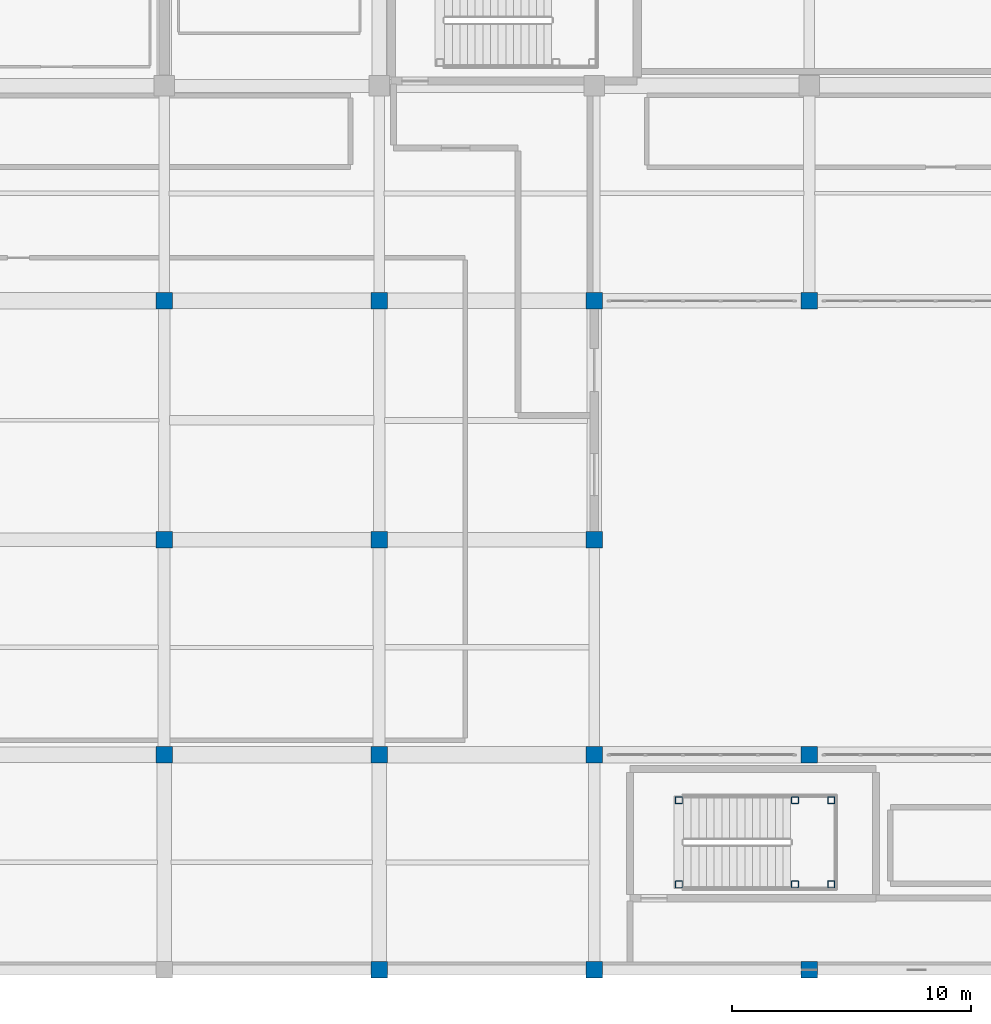
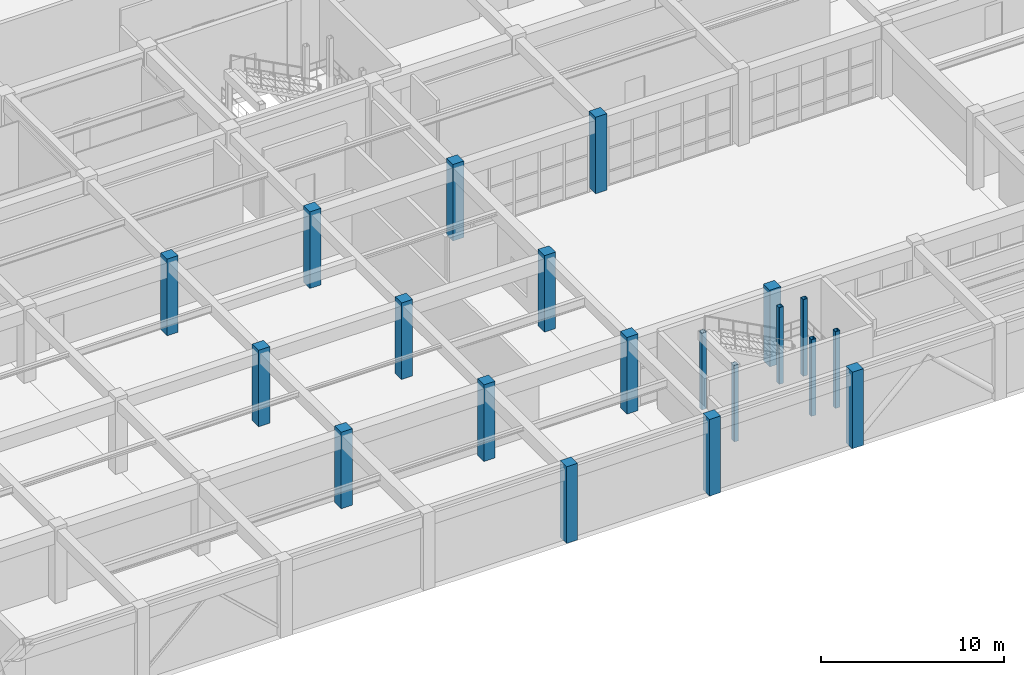
# One storey, part 5 of 128: 20 columns.
"""IFC4 building model written with IfcOpenShell, lengths in metres."""

from ifc_helpers import new_model, si_unit, direction, frame, origin, origin_2d, place, context, subcontext, project, spatial, rectangle, hollow_rectangle, extrude, material, material_profile, profile_set, type_object, element, save


model = new_model("IFC4")

# Units and contexts
model_context = context("Model", 3, precision=1e-05, world=origin(), true_north=direction((0.0, 1.0)))
body_context = subcontext(model_context, "Body", "Model", "MODEL_VIEW")
ifc_project = project(units=[si_unit("LENGTHUNIT", "METRE"), si_unit("AREAUNIT", "SQUARE_METRE"), si_unit("VOLUMEUNIT", "CUBIC_METRE"), si_unit("PLANEANGLEUNIT", "RADIAN"), si_unit("MASSUNIT", "GRAM", prefix="KILO")], contexts=[model_context])

# Site, building, storey
site_placement = place(None, origin())
site = spatial("IfcSite", under=ifc_project, at=site_placement, CompositionType="ELEMENT")
building_placement = place(site_placement, origin())
building = spatial("IfcBuilding", under=site, at=building_placement, Name="Miravela Opera House", CompositionType="ELEMENT")
storey_placement = place(building_placement, origin())
storey = spatial("IfcBuildingStorey", under=building, at=storey_placement, Name="L00", CompositionType="ELEMENT", Elevation=0.0)

# Columns
ifc_material_1 = material(Name="Hollow structural steel ASTM A500 Gr. C", Category="steel")
ifc_material_profile_1 = material_profile(ifc_material_1, hollow_rectangle(XDim=0.300048828125, YDim=0.300048828125, WallThickness=0.01611328125, InnerFilletRadius=0.01611328125, OuterFilletRadius=0.031982421875, at=origin_2d()), Name="HSS300X300X16")
ifc_profile_set_1 = profile_set([ifc_material_profile_1])
column_type_1 = type_object("IfcColumnType", Name="STR-COL-HSS300", PredefinedType="COLUMN", material=ifc_profile_set_1)
for number, where, z_axis, x_axis, name in (
    (1, (120.5400390625, 3.580078125, 0.0), (0.0, 0.0, 1.0), (1.0, 0.0, 0.0), "Stair ST-10 Landing Support Column 1 (L00)"),
    (2, (120.5400390625, 7.10009765625, 0.0), (0.0, 0.0, 1.0), (1.0, 0.0, 0.0), "Stair ST-10 Landing Support Column 2 (L00)"),
    (3, (125.39990234375, 3.580078125, 0.0), (0.0, 0.0, 1.0), (1.0, 0.0, 0.0), "Stair ST-10 Landing Support Column 3 (L00)"),
    (4, (125.39990234375, 7.10009765625, 0.0), (0.0, 0.0, 1.0), (1.0, 0.0, 0.0), "Stair ST-10 Landing Support Column 4 (L00)"),
    (5, (126.919921875, 3.580078125, 0.0), (0.0, 0.0, 1.0), (1.0, 0.0, 0.0), "Stair ST-10 Landing Support Column 5 (L00)"),
    (6, (126.919921875, 7.10009765625, 0.0), (0.0, 0.0, 1.0), (1.0, 0.0, 0.0), "Stair ST-10 Landing Support Column 6 (L00)"),
):
    element("IfcColumn", number, at=place(storey_placement, frame(where, z_axis=z_axis, x_axis=x_axis)), inside=storey, type_object=column_type_1, Name=name, PredefinedType="COLUMN", context=body_context, shape_type="SweptSolid", body=[
        extrude(hollow_rectangle(XDim=0.300048828125, YDim=0.300048828125, WallThickness=0.01611328125, InnerFilletRadius=0.01611328125, OuterFilletRadius=0.031982421875, at=origin_2d()), origin(), (0.0, 0.0, 1.0), 5.10009765625),
    ])
ifc_material_2 = material(Name="Concrete C35/45", Category="concrete")
ifc_material_profile_2 = material_profile(ifc_material_2, rectangle(XDim=0.699951171875, YDim=0.699951171875, at=origin_2d()), Name="RC-COL-700X700")
ifc_profile_set_2 = profile_set([ifc_material_profile_2])
column_type_2 = type_object("IfcColumnType", Name="STR-COL-RC700", PredefinedType="COLUMN", material=ifc_profile_set_2)
for number, where, z_axis, x_axis, name in (
    (7, (99.0, 9.0, 0.0), (0.0, 0.0, 1.0), (1.0, 0.0, 0.0), "Column C-12B (L00)"),
    (8, (99.0, 18.0, 0.0), (0.0, 0.0, 1.0), (1.0, 0.0, 0.0), "Column C-12C (L00)"),
    (9, (99.0, 28.0, 0.0), (0.0, 0.0, 1.0), (1.0, 0.0, 0.0), "Column C-12D (L00)"),
    (10, (108.0, 0.0, 0.0), (0.0, 0.0, 1.0), (1.0, 0.0, 0.0), "Column C-13A (L00)"),
    (11, (108.0, 9.0, 0.0), (0.0, 0.0, 1.0), (1.0, 0.0, 0.0), "Column C-13B (L00)"),
    (12, (108.0, 18.0, 0.0), (0.0, 0.0, 1.0), (1.0, 0.0, 0.0), "Column C-13C (L00)"),
    (13, (108.0, 28.0, 0.0), (0.0, 0.0, 1.0), (1.0, 0.0, 0.0), "Column C-13D (L00)"),
    (14, (117.0, 0.0, 0.0), (0.0, 0.0, 1.0), (1.0, 0.0, 0.0), "Column C-14A (L00)"),
    (15, (117.0, 9.0, 0.0), (0.0, 0.0, 1.0), (1.0, 0.0, 0.0), "Column C-14B (L00)"),
    (16, (117.0, 18.0, 0.0), (0.0, 0.0, 1.0), (1.0, 0.0, 0.0), "Column C-14C (L00)"),
    (17, (117.0, 28.0, 0.0), (0.0, 0.0, 1.0), (1.0, 0.0, 0.0), "Column C-14D (L00)"),
    (18, (126.0, 0.0, 0.0), (0.0, 0.0, 1.0), (1.0, 0.0, 0.0), "Column C-15A (L00)"),
    (19, (126.0, 9.0, 0.0), (0.0, 0.0, 1.0), (1.0, 0.0, 0.0), "Column C-15B (L00)"),
    (20, (126.0, 28.0, 0.0), (0.0, 0.0, 1.0), (1.0, 0.0, 0.0), "Column C-15D (L00)"),
):
    element("IfcColumn", number, at=place(storey_placement, frame(where, z_axis=z_axis, x_axis=x_axis)), inside=storey, type_object=column_type_2, Name=name, PredefinedType="COLUMN", context=body_context, shape_type="SweptSolid", body=[
        extrude(rectangle(XDim=0.699951171875, YDim=0.699951171875, at=origin_2d()), origin(), (0.0, 0.0, 1.0), 5.10009765625),
    ])

save(model, "model.ifc")
